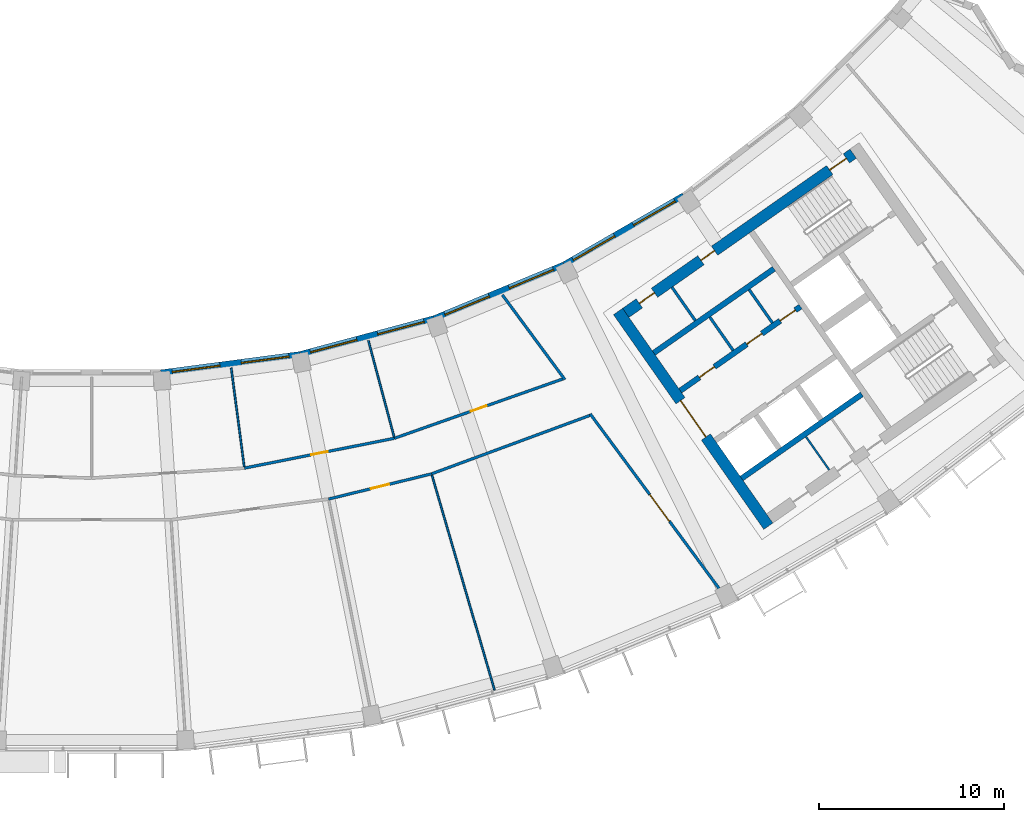
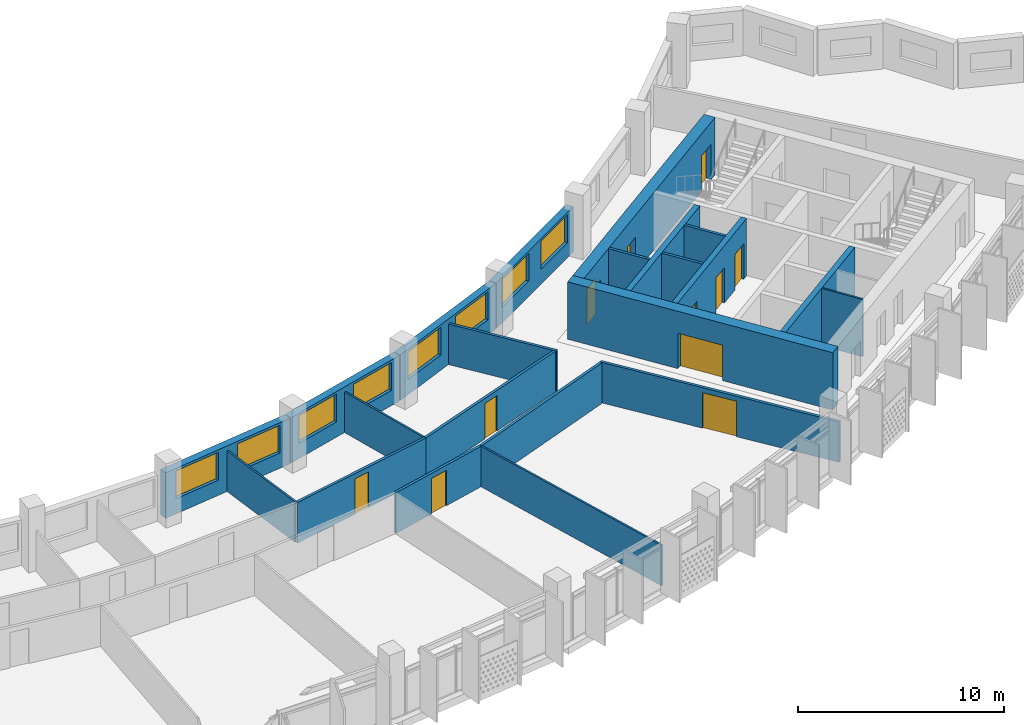
# One storey, part 6 of 27: 22 walls, 11 doors, 8 windows, 19 openings.
"""IFC4 building model written with IfcOpenShell, lengths in metres."""

from ifc_helpers import new_model, si_unit, direction, frame, frame_2d, origin, place, context, subcontext, project, spatial, rectangle, extrude, material, layer, layer_set, type_object, element, fill, save


model = new_model("IFC4")

# Units and contexts
model_context = context("Model", 3, precision=1e-05, world=origin(), true_north=direction((0.0, 1.0)))
body_context = subcontext(model_context, "Body", "Model", "MODEL_VIEW")
ifc_project = project(units=[si_unit("LENGTHUNIT", "METRE"), si_unit("AREAUNIT", "SQUARE_METRE"), si_unit("VOLUMEUNIT", "CUBIC_METRE"), si_unit("PLANEANGLEUNIT", "RADIAN"), si_unit("MASSUNIT", "GRAM", prefix="KILO")], contexts=[model_context])

# Site, building, storey
site_placement = place(None, origin())
site = spatial("IfcSite", under=ifc_project, at=site_placement, CompositionType="ELEMENT")
building_placement = place(site_placement, origin())
building = spatial("IfcBuilding", under=site, at=building_placement, Name="Qamariyya Broadcast Tower", CompositionType="ELEMENT")
storey_placement = place(building_placement, frame((0.0, 0.0, 280.89990234375)))
storey = spatial("IfcBuildingStorey", under=building, at=storey_placement, Name="L68", CompositionType="ELEMENT", Elevation=280.89990234375)

# Wall, opening, door
ifc_material_1 = material(Name="Concrete C60/75", Category="concrete")
ifc_layer_1 = layer(ifc_material_1, 0.60009765625)
ifc_layer_set_1 = layer_set([ifc_layer_1], Name="Core wall 600 mm Concrete C60/75")
wall_type_1 = type_object("IfcWallType", Name="Core wall 600 mm Concrete C60/75", PredefinedType="SHEAR", material=ifc_layer_set_1)
wall_1_placement = place(storey_placement, frame((36.66748046875, -66.005126953125, 0.0), z_axis=(0.0, 0.0, 1.0), x_axis=(-0.573568499524, 0.819157601658, 0.0)))
wall_1 = element("IfcWall", 1, at=wall_1_placement, inside=storey, type_object=wall_type_1, Name="k-E-L68-WA", PredefinedType="SHEAR", context=body_context, shape_type="SweptSolid", body=[
    extrude(rectangle(XDim=14.19970703125, YDim=0.60009765625, at=frame_2d((7.099853515625, 0.0))), origin(), (0.0, 0.0, 1.0), 3.400146484375),
])
opening_1_placement = place(wall_1_placement, frame((5.89990234375, 0.0, 0.0)))
opening_1 = element("IfcOpeningElement", 2, at=opening_1_placement, cuts=wall_1, Name="Opening KD3-E1", PredefinedType="OPENING", context=body_context, shape_type="SweptSolid", body=[
    extrude(rectangle(XDim=2.39990234375, YDim=2.10009765625, at=frame_2d((1.199951171875, 1.050048828125))), frame((0.0, 0.31005859375, 0.0), z_axis=(0.0, -1.0, 0.0), x_axis=(1.0, 0.0, 0.0)), (0.0, 0.0, 1.0), 0.6201171875),
])
ifc_material_2 = material(Name="Steel fire-resisting door leaf", Category="steel")
door_type_1 = type_object("IfcDoorType", Name="Lift lobby door KD3", OperationType="DOUBLE_DOOR_SINGLE_SWING", PredefinedType="DOOR", material=ifc_material_2)
door_1_placement = place(opening_1_placement, origin())
door_1 = element("IfcDoor", 3, at=door_1_placement, inside=storey, type_object=door_type_1, Name="k-E-L68-WA-D1", OperationType="DOUBLE_DOOR_SINGLE_SWING", OverallHeight=2.10009765625, OverallWidth=2.39990234375, PredefinedType="DOOR", context=body_context, shape_type="SweptSolid", body=[
    extrude(rectangle(XDim=2.39990234375, YDim=2.10009765625, at=frame_2d((1.199951171875, 1.050048828125))), frame((0.0, 0.02490234375, 0.0), z_axis=(0.0, -1.0, 0.0), x_axis=(1.0, 0.0, 0.0)), (0.0, 0.0, 1.0), 0.050048828125),
])
fill(opening_1, door_1)

# Wall, openings, doors
wall_2_placement = place(storey_placement, frame((28.940673828125, -54.447021484375, 0.0), z_axis=(0.0, 0.0, 1.0), x_axis=(0.819153391756, 0.573574511963, 0.0)))
wall_2 = element("IfcWall", 4, at=wall_2_placement, inside=storey, type_object=wall_type_1, Name="k-E-L68-WI", PredefinedType="SHEAR", context=body_context, shape_type="SweptSolid", body=[
    extrude(rectangle(XDim=15.04541015625, YDim=0.60009765625, at=frame_2d((7.522705078125, 0.0))), origin(), (0.0, 0.0, 1.0), 3.400146484375),
])
opening_2_placement = place(wall_2_placement, frame((0.89990234375, 0.0, 0.0)))
opening_2 = element("IfcOpeningElement", 5, at=opening_2_placement, cuts=wall_2, Name="Opening KD7-E1", PredefinedType="OPENING", context=body_context, shape_type="SweptSolid", body=[
    extrude(rectangle(XDim=1.0, YDim=2.10009765625, at=frame_2d((0.5, 1.050048828125))), frame((0.0, 0.31005859375, 0.0), z_axis=(0.0, -1.0, 0.0), x_axis=(1.0, 0.0, 0.0)), (0.0, 0.0, 1.0), 0.6201171875),
])
opening_3_placement = place(wall_2_placement, frame((4.97509765625, 0.0, 0.0)))
opening_3 = element("IfcOpeningElement", 6, at=opening_3_placement, cuts=wall_2, Name="Opening KD5-E1", PredefinedType="OPENING", context=body_context, shape_type="SweptSolid", body=[
    extrude(rectangle(XDim=0.89990234375, YDim=2.10009765625, at=frame_2d((0.449951171875, 1.050048828125))), frame((0.0, 0.31005859375, 0.0), z_axis=(0.0, -1.0, 0.0), x_axis=(1.0, 0.0, 0.0)), (0.0, 0.0, 1.0), 0.6201171875),
])
opening_4_placement = place(wall_2_placement, frame((13.495361328125, 0.0, 0.0)))
opening_4 = element("IfcOpeningElement", 7, at=opening_4_placement, cuts=wall_2, Name="Opening KD1-E1", PredefinedType="OPENING", context=body_context, shape_type="SweptSolid", body=[
    extrude(rectangle(XDim=1.10009765625, YDim=2.10009765625, at=frame_2d((0.550048828125, 1.050048828125))), frame((0.0, 0.31005859375, 0.0), z_axis=(0.0, -1.0, 0.0), x_axis=(1.0, 0.0, 0.0)), (0.0, 0.0, 1.0), 0.6201171875),
])
door_type_2 = type_object("IfcDoorType", Name="Accessible toilet door KD7", OperationType="SINGLE_SWING_LEFT", PredefinedType="DOOR", material=ifc_material_2)
door_2_placement = place(opening_2_placement, origin())
door_2 = element("IfcDoor", 8, at=door_2_placement, inside=storey, type_object=door_type_2, Name="k-E-L68-WI-D7", OperationType="SINGLE_SWING_LEFT", OverallHeight=2.10009765625, OverallWidth=1.0, PredefinedType="DOOR", context=body_context, shape_type="SweptSolid", body=[
    extrude(rectangle(XDim=1.0, YDim=2.10009765625, at=frame_2d((0.5, 1.050048828125))), frame((0.0, 0.02490234375, 0.0), z_axis=(0.0, -1.0, 0.0), x_axis=(1.0, 0.0, 0.0)), (0.0, 0.0, 1.0), 0.050048828125),
])
fill(opening_2, door_2)
door_type_3 = type_object("IfcDoorType", Name="Stair door KD1", OperationType="SINGLE_SWING_LEFT", PredefinedType="DOOR", material=ifc_material_2)
door_3_placement = place(opening_4_placement, origin())
door_3 = element("IfcDoor", 9, at=door_3_placement, inside=storey, type_object=door_type_3, Name="k-E-L68-WI-D15", OperationType="SINGLE_SWING_RIGHT", OverallHeight=2.10009765625, OverallWidth=1.10009765625, PredefinedType="DOOR", context=body_context, shape_type="SweptSolid", body=[
    extrude(rectangle(XDim=1.10009765625, YDim=2.10009765625, at=frame_2d((0.550048828125, 1.050048828125))), frame((0.0, 0.02490234375, 0.0), z_axis=(0.0, -1.0, 0.0), x_axis=(1.0, 0.0, 0.0)), (0.0, 0.0, 1.0), 0.050048828125),
])
fill(opening_4, door_3)
door_type_4 = type_object("IfcDoorType", Name="Toilet door KD5", OperationType="SINGLE_SWING_LEFT", PredefinedType="DOOR", material=ifc_material_2)
door_4_placement = place(opening_3_placement, origin())
door_4 = element("IfcDoor", 10, at=door_4_placement, inside=storey, type_object=door_type_4, Name="k-E-L68-WI-D8", OperationType="SINGLE_SWING_RIGHT", OverallHeight=2.10009765625, OverallWidth=0.89990234375, PredefinedType="DOOR", context=body_context, shape_type="SweptSolid", body=[
    extrude(rectangle(XDim=0.89990234375, YDim=2.10009765625, at=frame_2d((0.449951171875, 1.050048828125))), frame((0.0, 0.02490234375, 0.0), z_axis=(0.0, -1.0, 0.0), x_axis=(1.0, 0.0, 0.0)), (0.0, 0.0, 1.0), 0.050048828125),
])
fill(opening_3, door_4)

# Wall, opening, door
ifc_material_3 = material(Name="Gypsum board partition")
ifc_layer_2 = layer(ifc_material_3, 0.14990234375)
ifc_layer_set_2 = layer_set([ifc_layer_2], Name="Corridor partition 150 EI 60")
wall_type_2 = type_object("IfcWallType", Name="Corridor partition 150 EI 60", PredefinedType="PARTITIONING", material=ifc_layer_set_2)
wall_3_placement = place(storey_placement, frame((8.275390625, -62.857666015625, 0.0), z_axis=(0.0, 0.0, 1.0), x_axis=(0.98078508005, 0.195091329256, 0.0)))
wall_3 = element("IfcWall", 11, at=wall_3_placement, inside=storey, type_object=wall_type_2, Name="Partition L68-021", PredefinedType="PARTITIONING", context=body_context, shape_type="SweptSolid", body=[
    extrude(rectangle(XDim=8.293212890625, YDim=0.14990234375, at=frame_2d((4.146484375, 0.0))), origin(), (0.0, 0.0, 1.0), 2.400146484375),
])
opening_5_placement = place(wall_3_placement, frame((3.696533203125, 0.0, 0.0)))
opening_5 = element("IfcOpeningElement", 12, at=opening_5_placement, cuts=wall_3, Name="Opening L68-D12", PredefinedType="OPENING", context=body_context, shape_type="SweptSolid", body=[
    extrude(rectangle(XDim=0.89990234375, YDim=2.10009765625, at=frame_2d((0.449951171875, 1.050048828125))), frame((0.0, 0.0849609375, 0.0), z_axis=(0.0, -1.0, 0.0), x_axis=(1.0, 0.0, 0.0)), (0.0, 0.0, 1.0), 0.169921875),
])
ifc_material_4 = material(Name="Timber fire door leaf", Category="wood")
door_type_5 = type_object("IfcDoorType", Name="Fire door 900 x 2100 FD60", OperationType="NOTDEFINED", PredefinedType="DOOR", material=ifc_material_4)
door_5_placement = place(opening_5_placement, origin())
door_5 = element("IfcDoor", 13, at=door_5_placement, inside=storey, type_object=door_type_5, Name="Door L68-D12", OperationType="SINGLE_SWING_RIGHT", OverallHeight=2.10009765625, OverallWidth=0.89990234375, PredefinedType="DOOR", context=body_context, shape_type="SweptSolid", body=[
    extrude(rectangle(XDim=0.89990234375, YDim=2.10009765625, at=frame_2d((0.449951171875, 1.050048828125))), frame((0.0, 0.02490234375, 0.0), z_axis=(0.0, -1.0, 0.0), x_axis=(1.0, 0.0, 0.0)), (0.0, 0.0, 1.0), 0.050048828125),
])
fill(opening_5, door_5)

wall_4_placement = place(storey_placement, frame((18.41455078125, -63.170654296875, 0.0), z_axis=(0.0, 0.0, 1.0), x_axis=(-0.971335989794, -0.237710737938, 0.0)))
wall_4 = element("IfcWall", 14, at=wall_4_placement, inside=storey, type_object=wall_type_2, Name="Partition L68-022", PredefinedType="PARTITIONING", context=body_context, shape_type="SweptSolid", body=[
    extrude(rectangle(XDim=5.7421875, YDim=0.14990234375, at=frame_2d((2.87109375, 0.0))), origin(), (0.0, 0.0, 1.0), 2.400146484375),
])
opening_6_placement = place(wall_4_placement, frame((2.37109375, 0.0, 0.0)))
opening_6 = element("IfcOpeningElement", 15, at=opening_6_placement, cuts=wall_4, Name="Opening L68-D06", PredefinedType="OPENING", context=body_context, shape_type="SweptSolid", body=[
    extrude(rectangle(XDim=1.0, YDim=2.10009765625, at=frame_2d((0.5, 1.050048828125))), frame((0.0, 0.0849609375, 0.0), z_axis=(0.0, -1.0, 0.0), x_axis=(1.0, 0.0, 0.0)), (0.0, 0.0, 1.0), 0.169921875),
])
door_type_6 = type_object("IfcDoorType", Name="Fire door 1000 x 2100 FD60", OperationType="NOTDEFINED", PredefinedType="DOOR", material=ifc_material_4)
door_6_placement = place(opening_6_placement, origin())
door_6 = element("IfcDoor", 16, at=door_6_placement, inside=storey, type_object=door_type_6, Name="Door L68-D06", OperationType="SINGLE_SWING_RIGHT", OverallHeight=2.10009765625, OverallWidth=1.0, PredefinedType="DOOR", context=body_context, shape_type="SweptSolid", body=[
    extrude(rectangle(XDim=1.0, YDim=2.10009765625, at=frame_2d((0.5, 1.050048828125))), frame((0.0, 0.02490234375, 0.0), z_axis=(0.0, -1.0, 0.0), x_axis=(1.0, 0.0, 0.0)), (0.0, 0.0, 1.0), 0.050048828125),
])
fill(opening_6, door_6)

wall_5_placement = place(storey_placement, frame((16.4091796875, -61.23974609375, 0.0), z_axis=(0.0, 0.0, 1.0), x_axis=(0.94318552037, 0.332266570941, 0.0)))
wall_5 = element("IfcWall", 17, at=wall_5_placement, inside=storey, type_object=wall_type_2, Name="Partition L68-025", PredefinedType="PARTITIONING", context=body_context, shape_type="SweptSolid", body=[
    extrude(rectangle(XDim=9.66748046875, YDim=0.14990234375, at=frame_2d((4.833740234375, 0.0))), origin(), (0.0, 0.0, 1.0), 2.400146484375),
])
opening_7_placement = place(wall_5_placement, frame((4.3837890625, 0.0, 0.0)))
opening_7 = element("IfcOpeningElement", 18, at=opening_7_placement, cuts=wall_5, Name="Opening L68-D13", PredefinedType="OPENING", context=body_context, shape_type="SweptSolid", body=[
    extrude(rectangle(XDim=0.89990234375, YDim=2.10009765625, at=frame_2d((0.449951171875, 1.050048828125))), frame((0.0, 0.0849609375, 0.0), z_axis=(0.0, -1.0, 0.0), x_axis=(1.0, 0.0, 0.0)), (0.0, 0.0, 1.0), 0.169921875),
])
door_7_placement = place(opening_7_placement, origin())
door_7 = element("IfcDoor", 19, at=door_7_placement, inside=storey, type_object=door_type_5, Name="Door L68-D13", OperationType="SINGLE_SWING_RIGHT", OverallHeight=2.10009765625, OverallWidth=0.89990234375, PredefinedType="DOOR", context=body_context, shape_type="SweptSolid", body=[
    extrude(rectangle(XDim=0.89990234375, YDim=2.10009765625, at=frame_2d((0.449951171875, 1.050048828125))), frame((0.0, 0.02490234375, 0.0), z_axis=(0.0, -1.0, 0.0), x_axis=(1.0, 0.0, 0.0)), (0.0, 0.0, 1.0), 0.050048828125),
])
fill(opening_7, door_7)

# Walls
wall_6_placement = place(storey_placement, frame((18.41455078125, -63.170654296875, 0.0), z_axis=(0.0, 0.0, 1.0), x_axis=(0.93809473792, 0.346378784984, 0.0)))
element("IfcWall", 20, at=wall_6_placement, inside=storey, type_object=wall_type_2, Name="Partition L68-026", PredefinedType="PARTITIONING", context=body_context, shape_type="SweptSolid", body=[
    extrude(rectangle(XDim=9.13818359375, YDim=0.14990234375, at=frame_2d((4.569091796875, 0.0))), origin(), (0.0, 0.0, 1.0), 2.400146484375),
])
wall_7_placement = place(storey_placement, frame((22.251953125, -53.469482421875, 0.0), z_axis=(0.0, 0.0, 1.0), x_axis=(0.593872728047, -0.804558999006, 0.0)))
element("IfcWall", 21, at=wall_7_placement, inside=storey, type_object=wall_type_2, Name="Partition L68-028", PredefinedType="PARTITIONING", context=body_context, shape_type="SweptSolid", body=[
    extrude(rectangle(XDim=5.709228515625, YDim=0.14990234375, at=frame_2d((2.8544921875, 0.0))), origin(), (0.0, 0.0, 1.0), 2.400146484375),
])

# Wall, opening, door
wall_8_placement = place(storey_placement, frame((34.534423828125, -70.109130859375, 0.0), z_axis=(0.0, 0.0, 1.0), x_axis=(-0.593869528805, 0.804561360467, 0.0)))
wall_8 = element("IfcWall", 22, at=wall_8_placement, inside=storey, type_object=wall_type_2, Name="Partition L68-029", PredefinedType="PARTITIONING", context=body_context, shape_type="SweptSolid", body=[
    extrude(rectangle(XDim=12.665283203125, YDim=0.14990234375, at=frame_2d((6.33251953125, 0.0))), origin(), (0.0, 0.0, 1.0), 2.400146484375),
])
opening_8_placement = place(wall_8_placement, frame((5.4326171875, 0.0, 0.0)))
opening_8 = element("IfcOpeningElement", 23, at=opening_8_placement, cuts=wall_8, Name="Opening L68-D07", PredefinedType="OPENING", context=body_context, shape_type="SweptSolid", body=[
    extrude(rectangle(XDim=1.800048828125, YDim=2.10009765625, at=frame_2d((0.89990234375, 1.050048828125))), frame((0.0, 0.0849609375, 0.0), z_axis=(0.0, -1.0, 0.0), x_axis=(1.0, 0.0, 0.0)), (0.0, 0.0, 1.0), 0.169921875),
])
door_type_7 = type_object("IfcDoorType", Name="Double fire door 1800 x 2100 FD60", OperationType="NOTDEFINED", PredefinedType="DOOR", material=ifc_material_4)
door_8_placement = place(opening_8_placement, origin())
door_8 = element("IfcDoor", 24, at=door_8_placement, inside=storey, type_object=door_type_7, Name="Door L68-D07", OperationType="DOUBLE_DOOR_SINGLE_SWING", OverallHeight=2.10009765625, OverallWidth=1.800048828125, PredefinedType="DOOR", context=body_context, shape_type="SweptSolid", body=[
    extrude(rectangle(XDim=1.800048828125, YDim=2.10009765625, at=frame_2d((0.89990234375, 1.050048828125))), frame((0.0, 0.02490234375, 0.0), z_axis=(0.0, -1.0, 0.0), x_axis=(1.0, 0.0, 0.0)), (0.0, 0.0, 1.0), 0.050048828125),
])
fill(opening_8, door_8)

# Walls
ifc_material_5 = material(Name="Gypsum board partition on steel studs", Category="steel")
ifc_layer_3 = layer(ifc_material_5, 0.14990234375)
ifc_layer_set_3 = layer_set([ifc_layer_3], Name="Gypsum board partition 150 mm")
wall_type_3 = type_object("IfcWallType", Name="Gypsum board partition 150 mm", PredefinedType="PARTITIONING", material=ifc_layer_set_3)
for number, where, z_axis, x_axis, name in (
    (25, (34.757568359375, -56.477783203125, 0.0), (0.0, 0.0, 1.0), (-0.573633636671, 0.819111989218, 0.0), "k-E-L68-NC360"),
    (26, (36.88720703125, -54.986572265625, 0.0), (0.0, 0.0, 1.0), (-0.573507030513, 0.819200638399, 0.0), "k-E-L68-NC620"),
    (27, (32.709228515625, -54.860107421875, 0.0), (0.0, 0.0, 1.0), (-0.573633636671, 0.819111989218, 0.0), "k-E-L68-NP285"),
):
    element("IfcWall", number, at=place(storey_placement, frame(where, z_axis=z_axis, x_axis=x_axis)), inside=storey, type_object=wall_type_3, Name=name, PredefinedType="PARTITIONING", context=body_context, shape_type="SweptSolid", body=[
        extrude(rectangle(XDim=2.199951171875, YDim=0.14990234375, at=frame_2d((1.10009765625, 0.0))), origin(), (0.0, 0.0, 1.0), 3.400146484375),
    ])

# Wall, openings, doors
ifc_layer_4 = layer(ifc_material_1, 0.300048828125)
ifc_layer_set_4 = layer_set([ifc_layer_4], Name="Lift shaft wall 300 mm Concrete C60/75")
wall_type_4 = type_object("IfcWallType", Name="Lift shaft wall 300 mm Concrete C60/75", PredefinedType="SOLIDWALL", material=ifc_layer_set_4)
wall_9_placement = place(storey_placement, frame((31.89453125, -58.66552734375, 0.0), z_axis=(0.0, 0.0, 1.0), x_axis=(0.819166993208, 0.573555086491, 0.0)))
wall_9 = element("IfcWall", 28, at=wall_9_placement, inside=storey, type_object=wall_type_4, Name="k-E-L68-NF0", PredefinedType="SOLIDWALL", context=body_context, shape_type="SweptSolid", body=[
    extrude(rectangle(XDim=7.9501953125, YDim=0.300048828125, at=frame_2d((3.97509765625, 0.0))), origin(), (0.0, 0.0, 1.0), 3.400146484375),
])
opening_9_placement = place(wall_9_placement, frame((1.262451171875, 0.0, 0.0)))
opening_9 = element("IfcOpeningElement", 29, at=opening_9_placement, cuts=wall_9, Name="Opening KD4-E1", PredefinedType="OPENING", context=body_context, shape_type="SweptSolid", body=[
    extrude(rectangle(XDim=1.0, YDim=2.10009765625, at=frame_2d((0.5, 1.050048828125))), frame((0.0, 0.159912109375, 0.0), z_axis=(0.0, -1.0, 0.0), x_axis=(1.0, 0.0, 0.0)), (0.0, 0.0, 1.0), 0.320068359375),
])
opening_10_placement = place(wall_9_placement, frame((4.39990234375, 0.0, 0.0)))
opening_10 = element("IfcOpeningElement", 30, at=opening_10_placement, cuts=wall_9, Name="Opening KD6-E1", PredefinedType="OPENING", context=body_context, shape_type="SweptSolid", body=[
    extrude(rectangle(XDim=1.0, YDim=2.10009765625, at=frame_2d((0.5, 1.050048828125))), frame((0.0, 0.159912109375, 0.0), z_axis=(0.0, -1.0, 0.0), x_axis=(1.0, 0.0, 0.0)), (0.0, 0.0, 1.0), 0.320068359375),
])
opening_11_placement = place(wall_9_placement, frame((6.612548828125, 0.0, 0.0)))
opening_11 = element("IfcOpeningElement", 31, at=opening_11_placement, cuts=wall_9, Name="Opening KD6-E2", PredefinedType="OPENING", context=body_context, shape_type="SweptSolid", body=[
    extrude(rectangle(XDim=1.0, YDim=2.10009765625, at=frame_2d((0.5, 1.050048828125))), frame((0.0, 0.159912109375, 0.0), z_axis=(0.0, -1.0, 0.0), x_axis=(1.0, 0.0, 0.0)), (0.0, 0.0, 1.0), 0.320068359375),
])
door_type_8 = type_object("IfcDoorType", Name="Core room door KD6", OperationType="SINGLE_SWING_LEFT", PredefinedType="DOOR", material=ifc_material_2)
door_9_placement = place(opening_10_placement, origin())
door_9 = element("IfcDoor", 32, at=door_9_placement, inside=storey, type_object=door_type_8, Name="k-E-L68-NF0-D3", OperationType="SINGLE_SWING_LEFT", OverallHeight=2.10009765625, OverallWidth=1.0, PredefinedType="DOOR", context=body_context, shape_type="SweptSolid", body=[
    extrude(rectangle(XDim=1.0, YDim=2.10009765625, at=frame_2d((0.5, 1.050048828125))), frame((0.0, 0.02490234375, 0.0), z_axis=(0.0, -1.0, 0.0), x_axis=(1.0, 0.0, 0.0)), (0.0, 0.0, 1.0), 0.050048828125),
])
fill(opening_10, door_9)
door_10_placement = place(opening_11_placement, origin())
door_10 = element("IfcDoor", 33, at=door_10_placement, inside=storey, type_object=door_type_8, Name="k-E-L68-NF0-D4", OperationType="SINGLE_SWING_RIGHT", OverallHeight=2.10009765625, OverallWidth=1.0, PredefinedType="DOOR", context=body_context, shape_type="SweptSolid", body=[
    extrude(rectangle(XDim=1.0, YDim=2.10009765625, at=frame_2d((0.5, 1.050048828125))), frame((0.0, 0.02490234375, 0.0), z_axis=(0.0, -1.0, 0.0), x_axis=(1.0, 0.0, 0.0)), (0.0, 0.0, 1.0), 0.050048828125),
])
fill(opening_11, door_10)
door_type_9 = type_object("IfcDoorType", Name="Riser and plant door KD4", OperationType="SINGLE_SWING_LEFT", PredefinedType="DOOR", material=ifc_material_2)
door_11_placement = place(opening_9_placement, origin())
door_11 = element("IfcDoor", 34, at=door_11_placement, inside=storey, type_object=door_type_9, Name="k-E-L68-NF0-D2", OperationType="SINGLE_SWING_RIGHT", OverallHeight=2.10009765625, OverallWidth=1.0, PredefinedType="DOOR", context=body_context, shape_type="SweptSolid", body=[
    extrude(rectangle(XDim=1.0, YDim=2.10009765625, at=frame_2d((0.5, 1.050048828125))), frame((0.0, 0.02490234375, 0.0), z_axis=(0.0, -1.0, 0.0), x_axis=(1.0, 0.0, 0.0)), (0.0, 0.0, 1.0), 0.050048828125),
])
fill(opening_9, door_11)

# Walls
wall_10_placement = place(storey_placement, frame((30.460693359375, -56.61767578125, 0.0), z_axis=(0.0, 0.0, 1.0), x_axis=(0.819142461705, 0.573590121456, 0.0)))
element("IfcWall", 35, at=wall_10_placement, inside=storey, type_object=wall_type_4, Name="k-E-L68-NB0", PredefinedType="SOLIDWALL", context=body_context, shape_type="SweptSolid", body=[
    extrude(rectangle(XDim=7.949951171875, YDim=0.300048828125, at=frame_2d((3.97509765625, 0.0))), origin(), (0.0, 0.0, 1.0), 3.400146484375),
])
wall_11_placement = place(storey_placement, frame((35.22119140625, -63.41650390625, 0.0), z_axis=(0.0, 0.0, 1.0), x_axis=(0.819166993208, 0.573555086491, 0.0)))
element("IfcWall", 36, at=wall_11_placement, inside=storey, type_object=wall_type_4, Name="k-E-L68-SB0", PredefinedType="SOLIDWALL", context=body_context, shape_type="SweptSolid", body=[
    extrude(rectangle(XDim=7.9501953125, YDim=0.300048828125, at=frame_2d((3.97509765625, 0.0))), origin(), (0.0, 0.0, 1.0), 3.400146484375),
])
ifc_layer_5 = layer(ifc_material_3, 0.10009765625)
ifc_layer_set_5 = layer_set([ifc_layer_5], Name="Partition 100")
wall_type_5 = type_object("IfcWallType", Name="Partition 100", PredefinedType="PARTITIONING", material=ifc_layer_set_5)
wall_12_placement = place(storey_placement, frame((7.56103515625, -57.430908203125, 0.0), z_axis=(0.0, 0.0, 1.0), x_axis=(0.130516514475, -0.991446135425, 0.0)))
element("IfcWall", 37, at=wall_12_placement, inside=storey, type_object=wall_type_5, Name="Partition L68-020", PredefinedType="PARTITIONING", context=body_context, shape_type="SweptSolid", body=[
    extrude(rectangle(XDim=5.3984375, YDim=0.10009765625, at=frame_2d((2.69921875, 0.0))), origin(), (0.0, 0.0, 1.0), 2.400146484375),
])
wall_13_placement = place(storey_placement, frame((14.992431640625, -55.952880859375, 0.0), z_axis=(0.0, 0.0, 1.0), x_axis=(0.258825000964, -0.965924230401, 0.0)))
element("IfcWall", 38, at=wall_13_placement, inside=storey, type_object=wall_type_5, Name="Partition L68-023", PredefinedType="PARTITIONING", context=body_context, shape_type="SweptSolid", body=[
    extrude(rectangle(XDim=5.398193359375, YDim=0.10009765625, at=frame_2d((2.69921875, 0.0))), origin(), (0.0, 0.0, 1.0), 2.400146484375),
])
wall_14_placement = place(storey_placement, frame((21.8291015625, -74.884033203125, 0.0), z_axis=(0.0, 0.0, 1.0), x_axis=(-0.279860058942, 0.960040805075, 0.0)))
element("IfcWall", 39, at=wall_14_placement, inside=storey, type_object=wall_type_5, Name="Partition L68-027", PredefinedType="PARTITIONING", context=body_context, shape_type="SweptSolid", body=[
    extrude(rectangle(XDim=12.1259765625, YDim=0.10009765625, at=frame_2d((6.06298828125, 0.0))), origin(), (0.0, 0.0, 1.0), 2.400146484375),
])
ifc_material_6 = material(Name="Fire-rated gypsum shaft liner on steel studs", Category="steel")
ifc_layer_6 = layer(ifc_material_6, 0.10009765625)
ifc_layer_set_6 = layer_set([ifc_layer_6], Name="Riser wall 100 mm")
wall_type_6 = type_object("IfcWallType", Name="Riser wall 100 mm", PredefinedType="PLUMBINGWALL", material=ifc_layer_set_6)
wall_15_placement = place(storey_placement, frame((38.706787109375, -61.1591796875, 0.0), z_axis=(0.0, 0.0, 1.0), x_axis=(0.573633636671, -0.819111989218, 0.0)))
element("IfcWall", 40, at=wall_15_placement, inside=storey, type_object=wall_type_6, Name="k-E-L68-SP415", PredefinedType="PLUMBINGWALL", context=body_context, shape_type="SweptSolid", body=[
    extrude(rectangle(XDim=2.199951171875, YDim=0.10009765625, at=frame_2d((1.10009765625, 0.0))), origin(), (0.0, 0.0, 1.0), 3.400146484375),
])

# Wall, openings, windows
ifc_material_7 = material(Name="Terracotta", Category="masonry")
ifc_layer_7 = layer(ifc_material_7, 0.39990234375)
ifc_layer_set_7 = layer_set([ifc_layer_7], Name="Terracotta clad wall 400")
wall_type_7 = type_object("IfcWallType", Name="Terracotta clad wall 400", PredefinedType="SOLIDWALL", material=ifc_layer_set_7)
wall_16_placement = place(storey_placement, frame((25.609619140625, -51.875, 0.0), z_axis=(0.0, 0.0, 1.0), x_axis=(-0.923887531937, -0.382664119472, 0.0)))
wall_16 = element("IfcWall", 41, at=wall_16_placement, inside=storey, type_object=wall_type_7, Name="e-wl-L68-in100", PredefinedType="SOLIDWALL", context=body_context, shape_type="SweptSolid", body=[
    extrude(rectangle(XDim=7.6171875, YDim=0.39990234375, at=frame_2d((3.80859375, 0.0))), origin(), (0.0, 0.0, 1.0), 2.7001953125),
])
opening_12_placement = place(wall_16_placement, frame((4.393798828125, 0.0, 0.89990234375)))
opening_12 = element("IfcOpeningElement", 42, at=opening_12_placement, cuts=wall_16, Name="Opening W1", PredefinedType="OPENING", context=body_context, shape_type="SweptSolid", body=[
    extrude(rectangle(XDim=2.60009765625, YDim=1.64990234375, at=frame_2d((1.300048828125, 0.824951171875))), frame((0.0, 0.2099609375, 0.0), z_axis=(0.0, -1.0, 0.0), x_axis=(1.0, 0.0, 0.0)), (0.0, 0.0, 1.0), 0.419921875),
])
opening_13_placement = place(wall_16_placement, frame((0.623291015625, 0.0, 0.89990234375)))
opening_13 = element("IfcOpeningElement", 43, at=opening_13_placement, cuts=wall_16, Name="Opening W1", PredefinedType="OPENING", context=body_context, shape_type="SweptSolid", body=[
    extrude(rectangle(XDim=2.60009765625, YDim=1.64990234375, at=frame_2d((1.300048828125, 0.824951171875))), frame((0.0, 0.2099609375, 0.0), z_axis=(0.0, -1.0, 0.0), x_axis=(1.0, 0.0, 0.0)), (0.0, 0.0, 1.0), 0.419921875),
])
ifc_material_8 = material(Name="Clear low-e double glazed unit in aluminium frame", Category="aluminium")
window_type = type_object("IfcWindowType", Name="Ribbon window 2600 x 1650", PartitioningType="SINGLE_PANEL", PredefinedType="WINDOW", material=ifc_material_8)
window_1_placement = place(opening_12_placement, origin())
window_1 = element("IfcWindow", 44, at=window_1_placement, inside=storey, type_object=window_type, Name="e-w-L68-in10-0", OverallHeight=1.64990234375, OverallWidth=2.60009765625, PartitioningType="SINGLE_PANEL", PredefinedType="WINDOW", context=body_context, shape_type="SweptSolid", body=[
    extrude(rectangle(XDim=2.60009765625, YDim=1.64990234375, at=frame_2d((1.300048828125, 0.824951171875))), frame((0.0, 0.030029296875, 0.0), z_axis=(0.0, -1.0, 0.0), x_axis=(1.0, 0.0, 0.0)), (0.0, 0.0, 1.0), 0.06005859375),
])
fill(opening_12, window_1)
window_2_placement = place(opening_13_placement, origin())
window_2 = element("IfcWindow", 45, at=window_2_placement, inside=storey, type_object=window_type, Name="e-w-L68-in10-1", OverallHeight=1.64990234375, OverallWidth=2.60009765625, PartitioningType="SINGLE_PANEL", PredefinedType="WINDOW", context=body_context, shape_type="SweptSolid", body=[
    extrude(rectangle(XDim=2.60009765625, YDim=1.64990234375, at=frame_2d((1.300048828125, 0.824951171875))), frame((0.0, 0.030029296875, 0.0), z_axis=(0.0, -1.0, 0.0), x_axis=(1.0, 0.0, 0.0)), (0.0, 0.0, 1.0), 0.06005859375),
])
fill(opening_13, window_2)

wall_17_placement = place(storey_placement, frame((32.095947265625, -48.126220703125, 0.0), z_axis=(0.0, 0.0, 1.0), x_axis=(-0.866016763373, -0.500014965334, 0.0)))
wall_17 = element("IfcWall", 46, at=wall_17_placement, inside=storey, type_object=wall_type_7, Name="e-wl-L68-in110", PredefinedType="SOLIDWALL", context=body_context, shape_type="SweptSolid", body=[
    extrude(rectangle(XDim=7.465576171875, YDim=0.39990234375, at=frame_2d((3.73291015625, 0.0))), origin(), (0.0, 0.0, 1.0), 2.7001953125),
])
opening_14_placement = place(wall_17_placement, frame((4.318115234375, 0.0, 0.89990234375)))
opening_14 = element("IfcOpeningElement", 47, at=opening_14_placement, cuts=wall_17, Name="Opening W1", PredefinedType="OPENING", context=body_context, shape_type="SweptSolid", body=[
    extrude(rectangle(XDim=2.60009765625, YDim=1.64990234375, at=frame_2d((1.300048828125, 0.824951171875))), frame((0.0, 0.2099609375, 0.0), z_axis=(0.0, -1.0, 0.0), x_axis=(1.0, 0.0, 0.0)), (0.0, 0.0, 1.0), 0.419921875),
])
opening_15_placement = place(wall_17_placement, frame((0.547607421875, 0.0, 0.89990234375)))
opening_15 = element("IfcOpeningElement", 48, at=opening_15_placement, cuts=wall_17, Name="Opening W1", PredefinedType="OPENING", context=body_context, shape_type="SweptSolid", body=[
    extrude(rectangle(XDim=2.60009765625, YDim=1.64990234375, at=frame_2d((1.300048828125, 0.824951171875))), frame((0.0, 0.2099609375, 0.0), z_axis=(0.0, -1.0, 0.0), x_axis=(1.0, 0.0, 0.0)), (0.0, 0.0, 1.0), 0.419921875),
])
window_3_placement = place(opening_14_placement, origin())
window_3 = element("IfcWindow", 49, at=window_3_placement, inside=storey, type_object=window_type, Name="e-w-L68-in11-0", OverallHeight=1.64990234375, OverallWidth=2.60009765625, PartitioningType="SINGLE_PANEL", PredefinedType="WINDOW", context=body_context, shape_type="SweptSolid", body=[
    extrude(rectangle(XDim=2.60009765625, YDim=1.64990234375, at=frame_2d((1.300048828125, 0.824951171875))), frame((0.0, 0.030029296875, 0.0), z_axis=(0.0, -1.0, 0.0), x_axis=(1.0, 0.0, 0.0)), (0.0, 0.0, 1.0), 0.06005859375),
])
fill(opening_14, window_3)
window_4_placement = place(opening_15_placement, origin())
window_4 = element("IfcWindow", 50, at=window_4_placement, inside=storey, type_object=window_type, Name="e-w-L68-in11-1", OverallHeight=1.64990234375, OverallWidth=2.60009765625, PartitioningType="SINGLE_PANEL", PredefinedType="WINDOW", context=body_context, shape_type="SweptSolid", body=[
    extrude(rectangle(XDim=2.60009765625, YDim=1.64990234375, at=frame_2d((1.300048828125, 0.824951171875))), frame((0.0, 0.030029296875, 0.0), z_axis=(0.0, -1.0, 0.0), x_axis=(1.0, 0.0, 0.0)), (0.0, 0.0, 1.0), 0.06005859375),
])
fill(opening_15, window_4)

wall_18_placement = place(storey_placement, frame((11.310791015625, -56.735595703125, 0.0), z_axis=(0.0, 0.0, 1.0), x_axis=(-0.991446548217, -0.130513378733, 0.0)))
wall_18 = element("IfcWall", 51, at=wall_18_placement, inside=storey, type_object=wall_type_7, Name="e-wl-L68-in80", PredefinedType="SOLIDWALL", context=body_context, shape_type="SweptSolid", body=[
    extrude(rectangle(XDim=7.6171875, YDim=0.39990234375, at=frame_2d((3.80859375, 0.0))), origin(), (0.0, 0.0, 1.0), 2.7001953125),
])
opening_16_placement = place(wall_18_placement, frame((4.393798828125, 0.0, 0.89990234375)))
opening_16 = element("IfcOpeningElement", 52, at=opening_16_placement, cuts=wall_18, Name="Opening W1", PredefinedType="OPENING", context=body_context, shape_type="SweptSolid", body=[
    extrude(rectangle(XDim=2.60009765625, YDim=1.64990234375, at=frame_2d((1.300048828125, 0.824951171875))), frame((0.0, 0.2099609375, 0.0), z_axis=(0.0, -1.0, 0.0), x_axis=(1.0, 0.0, 0.0)), (0.0, 0.0, 1.0), 0.419921875),
])
opening_17_placement = place(wall_18_placement, frame((0.623291015625, 0.0, 0.89990234375)))
opening_17 = element("IfcOpeningElement", 53, at=opening_17_placement, cuts=wall_18, Name="Opening W1", PredefinedType="OPENING", context=body_context, shape_type="SweptSolid", body=[
    extrude(rectangle(XDim=2.60009765625, YDim=1.64990234375, at=frame_2d((1.300048828125, 0.824951171875))), frame((0.0, 0.2099609375, 0.0), z_axis=(0.0, -1.0, 0.0), x_axis=(1.0, 0.0, 0.0)), (0.0, 0.0, 1.0), 0.419921875),
])
window_5_placement = place(opening_16_placement, origin())
window_5 = element("IfcWindow", 54, at=window_5_placement, inside=storey, type_object=window_type, Name="e-w-L68-in08-0", OverallHeight=1.64990234375, OverallWidth=2.60009765625, PartitioningType="SINGLE_PANEL", PredefinedType="WINDOW", context=body_context, shape_type="SweptSolid", body=[
    extrude(rectangle(XDim=2.60009765625, YDim=1.64990234375, at=frame_2d((1.300048828125, 0.824951171875))), frame((0.0, 0.030029296875, 0.0), z_axis=(0.0, -1.0, 0.0), x_axis=(1.0, 0.0, 0.0)), (0.0, 0.0, 1.0), 0.06005859375),
])
fill(opening_16, window_5)
window_6_placement = place(opening_17_placement, origin())
window_6 = element("IfcWindow", 55, at=window_6_placement, inside=storey, type_object=window_type, Name="e-w-L68-in08-1", OverallHeight=1.64990234375, OverallWidth=2.60009765625, PartitioningType="SINGLE_PANEL", PredefinedType="WINDOW", context=body_context, shape_type="SweptSolid", body=[
    extrude(rectangle(XDim=2.60009765625, YDim=1.64990234375, at=frame_2d((1.300048828125, 0.824951171875))), frame((0.0, 0.030029296875, 0.0), z_axis=(0.0, -1.0, 0.0), x_axis=(1.0, 0.0, 0.0)), (0.0, 0.0, 1.0), 0.06005859375),
])
fill(opening_17, window_6)

wall_19_placement = place(storey_placement, frame((18.54638671875, -54.79345703125, 0.0), z_axis=(0.0, 0.0, 1.0), x_axis=(-0.965923236695, -0.258828709406, 0.0)))
wall_19 = element("IfcWall", 56, at=wall_19_placement, inside=storey, type_object=wall_type_7, Name="e-wl-L68-in90", PredefinedType="SOLIDWALL", context=body_context, shape_type="SweptSolid", body=[
    extrude(rectangle(XDim=7.4658203125, YDim=0.39990234375, at=frame_2d((3.73291015625, 0.0))), origin(), (0.0, 0.0, 1.0), 2.7001953125),
])
opening_18_placement = place(wall_19_placement, frame((4.318115234375, 0.0, 0.89990234375)))
opening_18 = element("IfcOpeningElement", 57, at=opening_18_placement, cuts=wall_19, Name="Opening W1", PredefinedType="OPENING", context=body_context, shape_type="SweptSolid", body=[
    extrude(rectangle(XDim=2.60009765625, YDim=1.64990234375, at=frame_2d((1.300048828125, 0.824951171875))), frame((0.0, 0.2099609375, 0.0), z_axis=(0.0, -1.0, 0.0), x_axis=(1.0, 0.0, 0.0)), (0.0, 0.0, 1.0), 0.419921875),
])
opening_19_placement = place(wall_19_placement, frame((0.547607421875, 0.0, 0.89990234375)))
opening_19 = element("IfcOpeningElement", 58, at=opening_19_placement, cuts=wall_19, Name="Opening W1", PredefinedType="OPENING", context=body_context, shape_type="SweptSolid", body=[
    extrude(rectangle(XDim=2.60009765625, YDim=1.64990234375, at=frame_2d((1.300048828125, 0.824951171875))), frame((0.0, 0.2099609375, 0.0), z_axis=(0.0, -1.0, 0.0), x_axis=(1.0, 0.0, 0.0)), (0.0, 0.0, 1.0), 0.419921875),
])
window_7_placement = place(opening_18_placement, origin())
window_7 = element("IfcWindow", 59, at=window_7_placement, inside=storey, type_object=window_type, Name="e-w-L68-in09-0", OverallHeight=1.64990234375, OverallWidth=2.60009765625, PartitioningType="SINGLE_PANEL", PredefinedType="WINDOW", context=body_context, shape_type="SweptSolid", body=[
    extrude(rectangle(XDim=2.60009765625, YDim=1.64990234375, at=frame_2d((1.300048828125, 0.824951171875))), frame((0.0, 0.030029296875, 0.0), z_axis=(0.0, -1.0, 0.0), x_axis=(1.0, 0.0, 0.0)), (0.0, 0.0, 1.0), 0.06005859375),
])
fill(opening_18, window_7)
window_8_placement = place(opening_19_placement, origin())
window_8 = element("IfcWindow", 60, at=window_8_placement, inside=storey, type_object=window_type, Name="e-w-L68-in09-1", OverallHeight=1.64990234375, OverallWidth=2.60009765625, PartitioningType="SINGLE_PANEL", PredefinedType="WINDOW", context=body_context, shape_type="SweptSolid", body=[
    extrude(rectangle(XDim=2.60009765625, YDim=1.64990234375, at=frame_2d((1.300048828125, 0.824951171875))), frame((0.0, 0.030029296875, 0.0), z_axis=(0.0, -1.0, 0.0), x_axis=(1.0, 0.0, 0.0)), (0.0, 0.0, 1.0), 0.06005859375),
])
fill(opening_19, window_8)

save(model, "model.ifc")
